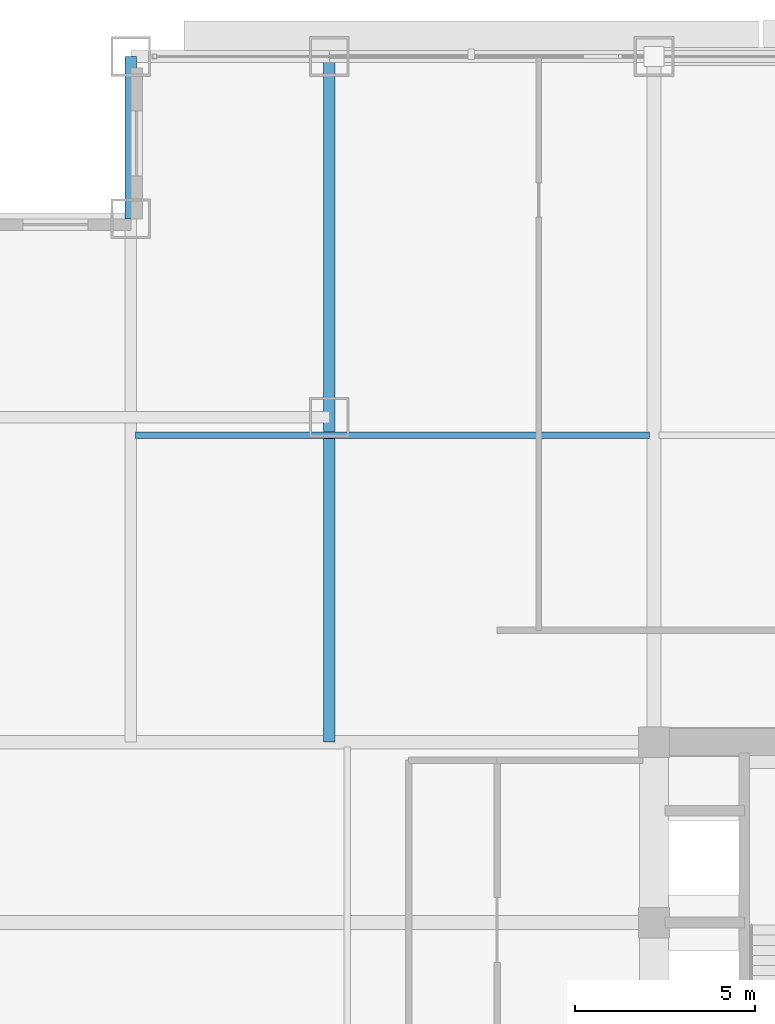
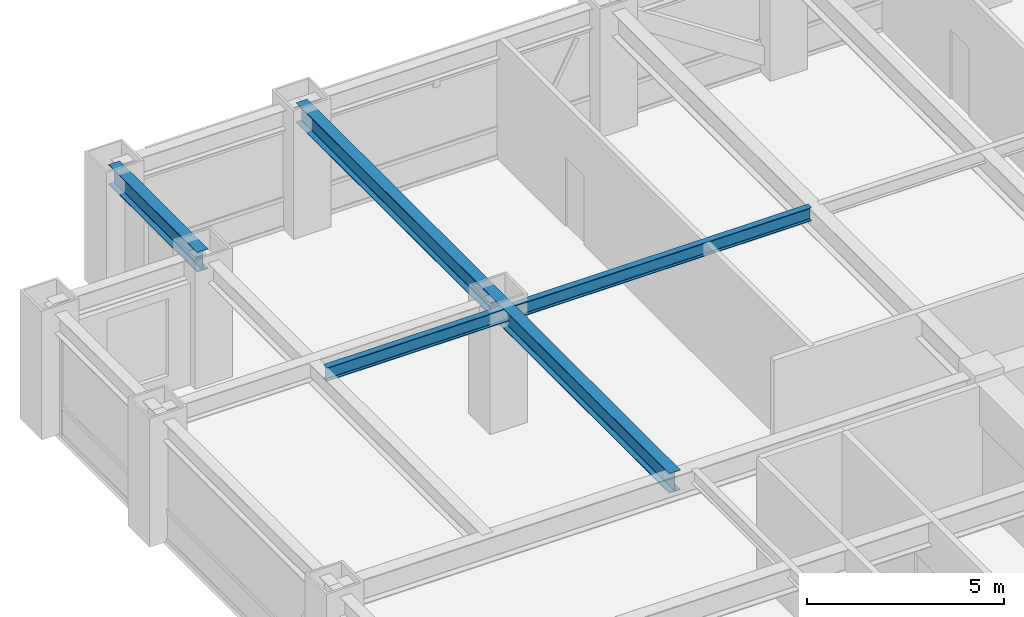
# One storey, part 13 of 28: 3 beams.
"""IFC4 building model written with IfcOpenShell, lengths in metres."""

from ifc_helpers import new_model, si_unit, direction, frame, origin, origin_2d, place, context, subcontext, project, spatial, i_section, extrude, source, transform, mapped, material, material_profile, profile_set, type_object, element, save


model = new_model("IFC4")

# Units and contexts
model_context = context("Model", 3, precision=1e-05, world=origin(), true_north=direction((0.0, 1.0)))
body_context = subcontext(model_context, "Body", "Model", "MODEL_VIEW")
ifc_project = project(units=[si_unit("LENGTHUNIT", "METRE"), si_unit("AREAUNIT", "SQUARE_METRE"), si_unit("VOLUMEUNIT", "CUBIC_METRE"), si_unit("PLANEANGLEUNIT", "RADIAN"), si_unit("MASSUNIT", "GRAM", prefix="KILO")], contexts=[model_context])

# Site, building, storey
site_placement = place(None, origin())
site = spatial("IfcSite", under=ifc_project, at=site_placement, CompositionType="ELEMENT")
building_placement = place(site_placement, origin())
building = spatial("IfcBuilding", under=site, at=building_placement, Name="Khorayat Bourse Tower", CompositionType="ELEMENT")
storey_placement = place(building_placement, frame((0.0, 0.0, 191.10009765625)))
storey = spatial("IfcBuildingStorey", under=building, at=storey_placement, Name="L44", CompositionType="ELEMENT", Elevation=191.10009765625)

# Beams
ifc_material = material(Name="Steel ASTM A992 Grade 50", Category="steel")
ifc_material_profile_1 = material_profile(ifc_material, i_section(OverallWidth=0.324951171875, OverallDepth=0.615966796875, WebThickness=0.013916015625, FlangeThickness=0.021484375, FilletRadius=0.01611328125, at=origin_2d()), Name="W610X174")
ifc_profile_set_1 = profile_set([ifc_material_profile_1], Name="Steel ASTM A992 Grade 50")
beam_type_1 = type_object("IfcBeamType", Name="BM-GIRD-610", PredefinedType="BEAM", material=ifc_profile_set_1)
shared_shape_1 = source(origin(), body_context, "Body", "SweptSolid", [
    extrude(i_section(OverallWidth=0.324951171875, OverallDepth=0.615966796875, WebThickness=0.013916015625, FlangeThickness=0.021484375, FilletRadius=0.01611328125, at=origin_2d()), origin(), (0.0, 0.0, 1.0), 19.0),
])
beam_1_placement = place(storey_placement, frame((-20.0, 11.0, 3.471923828125), z_axis=(0.0, 1.0, 0.0), x_axis=(-1.0, 0.0, 0.0)))
element("IfcBeam", 1, at=beam_1_placement, inside=storey, type_object=beam_type_1, Name="L44 BM-GIRD-610 BM-L44-CNRY-085", PredefinedType="BEAM", context=body_context, shape_type="MappedRepresentation", body=[
    mapped(shared_shape_1, transform((0.0, 0.0, 0.0), scale=1.0)),
])
ifc_material_profile_2 = material_profile(ifc_material, i_section(OverallWidth=0.180908203125, OverallDepth=0.4169921875, WebThickness=0.010986328125, FlangeThickness=0.018310546875, FilletRadius=0.011962890625, at=origin_2d()), Name="W410X85")
ifc_profile_set_2 = profile_set([ifc_material_profile_2], Name="Steel ASTM A992 Grade 50")
beam_type_2 = type_object("IfcBeamType", Name="BM-JOIST-410", PredefinedType="JOIST", material=ifc_profile_set_2)
shared_shape_2 = source(origin(), body_context, "Body", "SweptSolid", [
    extrude(i_section(OverallWidth=0.180908203125, OverallDepth=0.4169921875, WebThickness=0.010986328125, FlangeThickness=0.018310546875, FilletRadius=0.011962890625, at=origin_2d()), origin(), (0.0, 0.0, 1.0), 14.240234375),
])
beam_2_placement = place(storey_placement, frame((-25.3701171875, 19.5, 3.5712890625), z_axis=(1.0, 0.0, 0.0), x_axis=(0.0, 1.0, 0.0)))
element("IfcBeam", 2, at=beam_2_placement, inside=storey, type_object=beam_type_2, Name="L44 BM-JOIST-410 BM-L44-JSTX-099", PredefinedType="JOIST", context=body_context, shape_type="MappedRepresentation", body=[
    mapped(shared_shape_2, transform((0.0, 0.0, 0.0), scale=1.0)),
])
ifc_material_profile_3 = material_profile(ifc_material, i_section(OverallWidth=0.324951171875, OverallDepth=0.615966796875, WebThickness=0.013916015625, FlangeThickness=0.021484375, FilletRadius=0.01611328125, at=origin_2d()), Name="W610X174")
ifc_profile_set_3 = profile_set([ifc_material_profile_3], Name="Steel ASTM A992 Grade 50")
beam_type_3 = type_object("IfcBeamType", Name="BM-SPAN-610", PredefinedType="SPANDREL", material=ifc_profile_set_3)
shared_shape_3 = source(origin(), body_context, "Body", "SweptSolid", [
    extrude(i_section(OverallWidth=0.324951171875, OverallDepth=0.615966796875, WebThickness=0.013916015625, FlangeThickness=0.021484375, FilletRadius=0.01611328125, at=origin_2d()), origin(), (0.0, 0.0, 1.0), 4.5),
])
beam_3_placement = place(storey_placement, frame((-25.5, 25.5, 3.471923828125), z_axis=(0.0, 1.0, 0.0), x_axis=(-1.0, 0.0, 0.0)))
element("IfcBeam", 3, at=beam_3_placement, inside=storey, type_object=beam_type_3, Name="L44 BM-SPAN-610 BM-L44-SPN-052", PredefinedType="SPANDREL", context=body_context, shape_type="MappedRepresentation", body=[
    mapped(shared_shape_3, transform((0.0, 0.0, 0.0), scale=1.0)),
])

save(model, "model.ifc")
